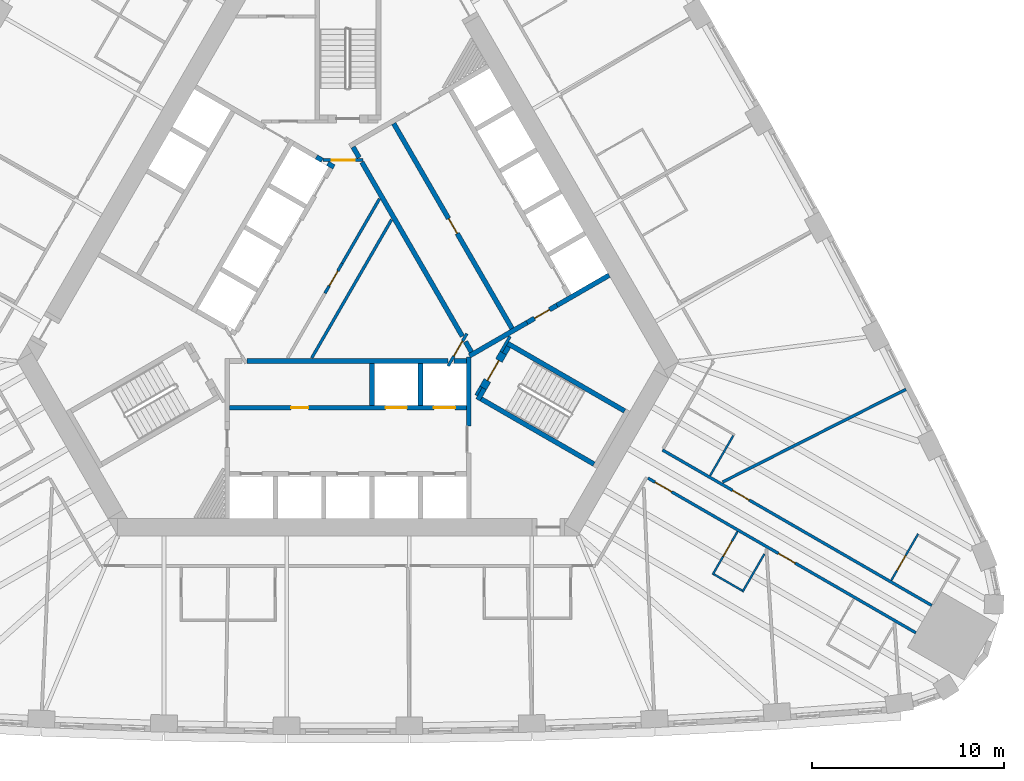
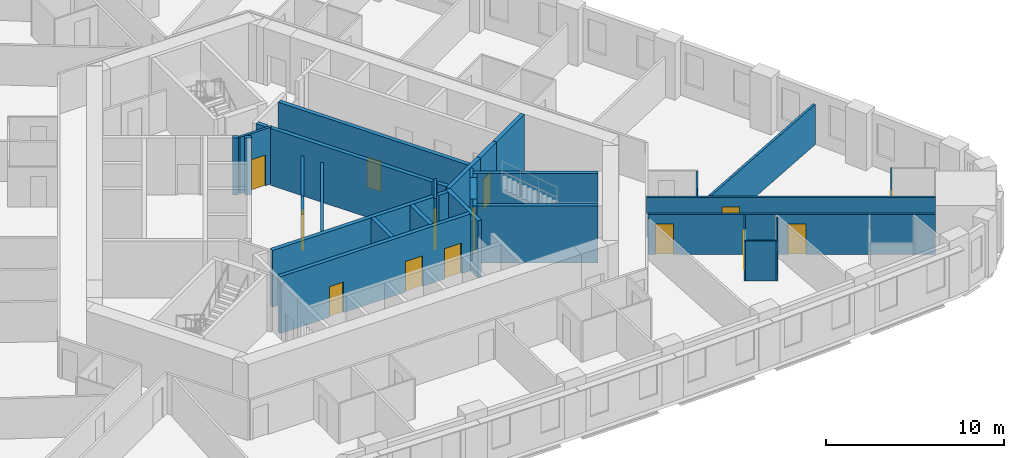
# One storey, part 7 of 12: 35 walls, 14 doors, 14 openings.
"""IFC4 building model written with IfcOpenShell, lengths in metres."""

from ifc_helpers import new_model, si_unit, direction, frame, frame_2d, origin, place, context, subcontext, project, spatial, rectangle, extrude, material, layer, layer_set, type_object, element, fill, save


model = new_model("IFC4")

# Units and contexts
model_context = context("Model", 3, precision=1e-05, world=origin(), true_north=direction((0.0, 1.0)))
body_context = subcontext(model_context, "Body", "Model", "MODEL_VIEW")
ifc_project = project(units=[si_unit("LENGTHUNIT", "METRE"), si_unit("AREAUNIT", "SQUARE_METRE"), si_unit("VOLUMEUNIT", "CUBIC_METRE"), si_unit("PLANEANGLEUNIT", "RADIAN"), si_unit("MASSUNIT", "GRAM", prefix="KILO")], contexts=[model_context])

# Site, building, storey
site_placement = place(None, origin())
site = spatial("IfcSite", under=ifc_project, at=site_placement, CompositionType="ELEMENT")
building_placement = place(site_placement, origin())
building = spatial("IfcBuilding", under=site, at=building_placement, Name="Mestral Congress Tower", CompositionType="ELEMENT")
storey_placement = place(building_placement, frame((0.0, 0.0, 70.5)))
storey = spatial("IfcBuildingStorey", under=building, at=storey_placement, Name="L16", CompositionType="ELEMENT", Elevation=70.5)

# Walls
ifc_material_1 = material(Name="Fire-rated board partition")
ifc_layer_1 = layer(ifc_material_1, 0.14990234375)
ifc_layer_set_1 = layer_set([ifc_layer_1], Name="Fire-rated board partition")
wall_type_1 = type_object("IfcWallType", Name="Core partition 150", PredefinedType="PARTITIONING", material=ifc_layer_set_1)
wall_1_placement = place(storey_placement, frame((6.94482421875, -5.22216796875, 0.0), z_axis=(0.0, 0.0, 1.0), x_axis=(-0.499818422106, -0.866130212453, 0.0)))
element("IfcWall", 1, at=wall_1_placement, inside=storey, type_object=wall_type_1, Name="L16 core wall", PredefinedType="PARTITIONING", context=body_context, shape_type="SweptSolid", body=[
    extrude(rectangle(XDim=0.513916015625, YDim=0.14990234375, at=frame_2d((0.2568359375, 0.0))), origin(), (0.0, 0.0, 1.0), 2.75),
])
wall_2_placement = place(storey_placement, frame((-1.886962890625, -3.71826171875, 0.0), z_axis=(0.0, 0.0, 1.0), x_axis=(0.500005008002, 0.866022512394, 0.0)))
element("IfcWall", 2, at=wall_2_placement, inside=storey, type_object=wall_type_1, Name="L16 core wall", PredefinedType="PARTITIONING", context=body_context, shape_type="SweptSolid", body=[
    extrude(rectangle(XDim=8.3271484375, YDim=0.14990234375, at=frame_2d((4.16357421875, 0.0))), origin(), (0.0, 0.0, 1.0), 2.75),
])
wall_3_placement = place(storey_placement, frame((-0.2998046875, 1.21240234375, 0.0), z_axis=(0.0, 0.0, 1.0), x_axis=(0.499963101113, 0.866046706318, 0.0)))
element("IfcWall", 3, at=wall_3_placement, inside=storey, type_object=wall_type_1, Name="L16 core wall", PredefinedType="PARTITIONING", context=body_context, shape_type="SweptSolid", body=[
    extrude(rectangle(XDim=3.893310546875, YDim=0.14990234375, at=frame_2d((1.94677734375, 0.0))), origin(), (0.0, 0.0, 1.0), 2.75),
])

# Wall, opening, door
wall_4_placement = place(storey_placement, frame((-1.199951171875, -0.346435546875, 0.0), z_axis=(0.0, 0.0, 1.0), x_axis=(0.499961193289, 0.866047807691, 0.0)))
wall_4 = element("IfcWall", 4, at=wall_4_placement, inside=storey, type_object=wall_type_1, Name="L16 door wall", PredefinedType="PARTITIONING", context=body_context, shape_type="SweptSolid", body=[
    extrude(rectangle(XDim=1.800048828125, YDim=0.14990234375, at=frame_2d((0.89990234375, 0.0))), origin(), (0.0, 0.0, 1.0), 2.75),
])
opening_1_placement = place(wall_4_placement, frame((0.449951171875, 0.0, 0.0)))
opening_1 = element("IfcOpeningElement", 5, at=opening_1_placement, cuts=wall_4, Name="Opening SD-HUB1", PredefinedType="OPENING", context=body_context, shape_type="SweptSolid", body=[
    extrude(rectangle(XDim=0.89990234375, YDim=2.10009765625, at=frame_2d((0.449951171875, 1.050048828125))), frame((0.0, 0.0849609375, 0.0), z_axis=(0.0, -1.0, 0.0), x_axis=(1.0, 0.0, 0.0)), (0.0, 0.0, 1.0), 0.169921875),
])
ifc_material_2 = material(Name="Fire-rated steel door set", Category="steel")
door_type_1 = type_object("IfcDoorType", Name="Core door SR 900x2100", OperationType="SINGLE_SWING_LEFT", PredefinedType="DOOR", material=ifc_material_2)
door_1_placement = place(opening_1_placement, origin())
door_1 = element("IfcDoor", 6, at=door_1_placement, inside=storey, type_object=door_type_1, Name="Door SD-HUB1", OperationType="SINGLE_SWING_LEFT", OverallHeight=2.10009765625, OverallWidth=0.89990234375, PredefinedType="DOOR", context=body_context, shape_type="SweptSolid", body=[
    extrude(rectangle(XDim=0.89990234375, YDim=2.10009765625, at=frame_2d((0.449951171875, 1.050048828125))), frame((0.0, 0.02490234375, 0.0), z_axis=(0.0, -1.0, 0.0), x_axis=(1.0, 0.0, 0.0)), (0.0, 0.0, 1.0), 0.050048828125),
])
fill(opening_1, door_1)

ifc_material_3 = material(Name="Gypsum board partition on metal studs with mineral wool", Category="composite")
ifc_layer_2 = layer(ifc_material_3, 0.10009765625)
ifc_layer_set_2 = layer_set([ifc_layer_2], Name="Gypsum board partition on metal studs with mineral wool")
wall_type_2 = type_object("IfcWallType", Name="Hotel partition wall 100", PredefinedType="PARTITIONING", material=ifc_layer_set_2)
wall_5_placement = place(storey_placement, frame((20.330078125, -12.77685546875, 0.0), z_axis=(0.0, 0.0, 1.0), x_axis=(-0.500006934395, -0.866021400173, 0.0)))
wall_5 = element("IfcWall", 7, at=wall_5_placement, inside=storey, type_object=wall_type_2, Name="L16-h-pod06a", PredefinedType="PARTITIONING", context=body_context, shape_type="SweptSolid", body=[
    extrude(rectangle(XDim=2.60009765625, YDim=0.10009765625, at=frame_2d((1.300048828125, 0.0))), origin(), (0.0, 0.0, 1.0), 2.75),
])
opening_2_placement = place(wall_5_placement, frame((0.60009765625, 0.0, 0.0)))
opening_2 = element("IfcOpeningElement", 8, at=opening_2_placement, cuts=wall_5, Name="Opening H04-012", PredefinedType="OPENING", context=body_context, shape_type="SweptSolid", body=[
    extrude(rectangle(XDim=0.89990234375, YDim=2.10009765625, at=frame_2d((0.449951171875, 1.050048828125))), frame((0.0, 0.06005859375, 0.0), z_axis=(0.0, -1.0, 0.0), x_axis=(1.0, 0.0, 0.0)), (0.0, 0.0, 1.0), 0.1201171875),
])
ifc_material_4 = material(Name="Timber veneer door leaf in timber frame", Category="wood")
door_type_2 = type_object("IfcDoorType", Name="Bathroom door 900", OperationType="SINGLE_SWING_LEFT", PredefinedType="DOOR", material=ifc_material_4)
door_2_placement = place(opening_2_placement, origin())
door_2 = element("IfcDoor", 9, at=door_2_placement, inside=storey, type_object=door_type_2, Name="L16-h-d012", OperationType="SINGLE_SWING_RIGHT", OverallHeight=2.10009765625, OverallWidth=0.89990234375, PredefinedType="DOOR", context=body_context, shape_type="SweptSolid", body=[
    extrude(rectangle(XDim=0.89990234375, YDim=2.10009765625, at=frame_2d((0.449951171875, 1.050048828125))), frame((0.0, 0.02490234375, 0.0), z_axis=(0.0, -1.0, 0.0), x_axis=(1.0, 0.0, 0.0)), (0.0, 0.0, 1.0), 0.050048828125),
])
fill(opening_2, door_2)

# Walls
wall_6_placement = place(storey_placement, frame((19.098388671875, -15.01025390625, 0.0), z_axis=(0.0, 0.0, 1.0), x_axis=(0.86605165483, -0.499954529098, 0.0)))
element("IfcWall", 10, at=wall_6_placement, inside=storey, type_object=wall_type_2, Name="L16-h-pod06b", PredefinedType="PARTITIONING", context=body_context, shape_type="SweptSolid", body=[
    extrude(rectangle(XDim=1.699951171875, YDim=0.10009765625, at=frame_2d((0.85009765625, 0.0))), origin(), (0.0, 0.0, 1.0), 2.75),
])
wall_7_placement = place(storey_placement, frame((21.73388671875, -13.9453125, 0.0), z_axis=(0.0, 0.0, 1.0), x_axis=(-0.500014693593, -0.866016920268, 0.0)))
element("IfcWall", 11, at=wall_7_placement, inside=storey, type_object=wall_type_2, Name="L16-h-pod06c", PredefinedType="PARTITIONING", context=body_context, shape_type="SweptSolid", body=[
    extrude(rectangle(XDim=2.2900390625, YDim=0.10009765625, at=frame_2d((1.14501953125, 0.0))), origin(), (0.0, 0.0, 1.0), 2.75),
])

# Wall, opening, door
wall_8_placement = place(storey_placement, frame((29.75244140625, -12.9052734375, 0.0), z_axis=(0.0, 0.0, 1.0), x_axis=(-0.500049511043, -0.865996816683, 0.0)))
wall_8 = element("IfcWall", 12, at=wall_8_placement, inside=storey, type_object=wall_type_2, Name="L16-h-pod08a", PredefinedType="PARTITIONING", context=body_context, shape_type="SweptSolid", body=[
    extrude(rectangle(XDim=2.800048828125, YDim=0.10009765625, at=frame_2d((1.39990234375, 0.0))), origin(), (0.0, 0.0, 1.0), 2.75),
])
opening_3_placement = place(wall_8_placement, frame((1.300048828125, 0.0, 0.0)))
opening_3 = element("IfcOpeningElement", 13, at=opening_3_placement, cuts=wall_8, Name="Opening H04-016", PredefinedType="OPENING", context=body_context, shape_type="SweptSolid", body=[
    extrude(rectangle(XDim=0.89990234375, YDim=2.10009765625, at=frame_2d((0.449951171875, 1.050048828125))), frame((0.0, 0.06005859375, 0.0), z_axis=(0.0, -1.0, 0.0), x_axis=(1.0, 0.0, 0.0)), (0.0, 0.0, 1.0), 0.1201171875),
])
door_3_placement = place(opening_3_placement, origin())
door_3 = element("IfcDoor", 14, at=door_3_placement, inside=storey, type_object=door_type_2, Name="L16-h-d016", OperationType="SINGLE_SWING_LEFT", OverallHeight=2.10009765625, OverallWidth=0.89990234375, PredefinedType="DOOR", context=body_context, shape_type="SweptSolid", body=[
    extrude(rectangle(XDim=0.89990234375, YDim=2.10009765625, at=frame_2d((0.449951171875, 1.050048828125))), frame((0.0, 0.02490234375, 0.0), z_axis=(0.0, -1.0, 0.0), x_axis=(1.0, 0.0, 0.0)), (0.0, 0.0, 1.0), 0.050048828125),
])
fill(opening_3, door_3)

# Wall
wall_9_placement = place(storey_placement, frame((20.10888671875, -7.7705078125, 0.0), z_axis=(0.0, 0.0, 1.0), x_axis=(-0.500077573772, -0.865980611914, 0.0)))
element("IfcWall", 15, at=wall_9_placement, inside=storey, type_object=wall_type_2, Name="L16-h-pod09b", PredefinedType="PARTITIONING", context=body_context, shape_type="SweptSolid", body=[
    extrude(rectangle(XDim=2.419921875, YDim=0.10009765625, at=frame_2d((1.2099609375, 0.0))), origin(), (0.0, 0.0, 1.0), 2.75),
])

# Wall, opening, door
ifc_layer_3 = layer(ifc_material_3, 0.14990234375)
ifc_layer_set_3 = layer_set([ifc_layer_3], Name="Gypsum board partition on metal studs with mineral wool")
wall_type_3 = type_object("IfcWallType", Name="Hotel partition wall 150", PredefinedType="PARTITIONING", material=ifc_layer_set_3)
wall_10_placement = place(storey_placement, frame((16.412353515625, -8.52294921875, 0.0), z_axis=(0.0, 0.0, 1.0), x_axis=(0.866022197818, -0.500005552856, 0.0)))
wall_10 = element("IfcWall", 16, at=wall_10_placement, inside=storey, type_object=wall_type_3, Name="L16-h-cw01", PredefinedType="PARTITIONING", context=body_context, shape_type="SweptSolid", body=[
    extrude(rectangle(XDim=16.223876953125, YDim=0.14990234375, at=frame_2d((8.11181640625, 0.0))), origin(), (0.0, 0.0, 1.0), 2.75),
])
opening_4_placement = place(wall_10_placement, frame((4.223388671875, 0.0, 0.0)))
opening_4 = element("IfcOpeningElement", 17, at=opening_4_placement, cuts=wall_10, Name="Opening H04-015", PredefinedType="OPENING", context=body_context, shape_type="SweptSolid", body=[
    extrude(rectangle(XDim=1.0, YDim=2.10009765625, at=frame_2d((0.5, 1.050048828125))), frame((0.0, 0.0849609375, 0.0), z_axis=(0.0, -1.0, 0.0), x_axis=(1.0, 0.0, 0.0)), (0.0, 0.0, 1.0), 0.169921875),
])
ifc_material_5 = material(Name="Timber veneer door leaf in metal frame", Category="wood")
door_type_3 = type_object("IfcDoorType", Name="Guest room entrance door 1000", OperationType="SINGLE_SWING_LEFT", PredefinedType="DOOR", material=ifc_material_5)
door_4_placement = place(opening_4_placement, origin())
door_4 = element("IfcDoor", 18, at=door_4_placement, inside=storey, type_object=door_type_3, Name="L16-h-d015", OperationType="SINGLE_SWING_LEFT", OverallHeight=2.10009765625, OverallWidth=1.0, PredefinedType="DOOR", context=body_context, shape_type="SweptSolid", body=[
    extrude(rectangle(XDim=1.0, YDim=2.10009765625, at=frame_2d((0.5, 1.050048828125))), frame((0.0, 0.02490234375, 0.0), z_axis=(0.0, -1.0, 0.0), x_axis=(1.0, 0.0, 0.0)), (0.0, 0.0, 1.0), 0.050048828125),
])
fill(opening_4, door_4)

# Wall, openings, doors
wall_11_placement = place(storey_placement, frame((29.6376953125, -18.06396484375, 0.0), z_axis=(0.0, 0.0, 1.0), x_axis=(-0.866026175601, 0.499998663172, 0.0)))
wall_11 = element("IfcWall", 19, at=wall_11_placement, inside=storey, type_object=wall_type_3, Name="L16-h-cw15", PredefinedType="PARTITIONING", context=body_context, shape_type="SweptSolid", body=[
    extrude(rectangle(XDim=16.14404296875, YDim=0.14990234375, at=frame_2d((8.072021484375, 0.0))), origin(), (0.0, 0.0, 1.0), 2.75),
])
opening_5_placement = place(wall_11_placement, frame((14.7138671875, 0.0, 0.0)))
opening_5 = element("IfcOpeningElement", 20, at=opening_5_placement, cuts=wall_11, Name="Opening H04-011", PredefinedType="OPENING", context=body_context, shape_type="SweptSolid", body=[
    extrude(rectangle(XDim=1.0, YDim=2.10009765625, at=frame_2d((0.5, 1.050048828125))), frame((0.0, 0.0849609375, 0.0), z_axis=(0.0, -1.0, 0.0), x_axis=(1.0, 0.0, 0.0)), (0.0, 0.0, 1.0), 0.169921875),
])
opening_6_placement = place(wall_11_placement, frame((7.275146484375, 0.0, 0.0)))
opening_6 = element("IfcOpeningElement", 21, at=opening_6_placement, cuts=wall_11, Name="Opening H04-013", PredefinedType="OPENING", context=body_context, shape_type="SweptSolid", body=[
    extrude(rectangle(XDim=1.0, YDim=2.10009765625, at=frame_2d((0.5, 1.050048828125))), frame((0.0, 0.0849609375, 0.0), z_axis=(0.0, -1.0, 0.0), x_axis=(1.0, 0.0, 0.0)), (0.0, 0.0, 1.0), 0.169921875),
])
door_5_placement = place(opening_5_placement, origin())
door_5 = element("IfcDoor", 22, at=door_5_placement, inside=storey, type_object=door_type_3, Name="L16-h-d011", OperationType="SINGLE_SWING_RIGHT", OverallHeight=2.10009765625, OverallWidth=1.0, PredefinedType="DOOR", context=body_context, shape_type="SweptSolid", body=[
    extrude(rectangle(XDim=1.0, YDim=2.10009765625, at=frame_2d((0.5, 1.050048828125))), frame((0.0, 0.02490234375, 0.0), z_axis=(0.0, -1.0, 0.0), x_axis=(1.0, 0.0, 0.0)), (0.0, 0.0, 1.0), 0.050048828125),
])
fill(opening_5, door_5)
door_6_placement = place(opening_6_placement, origin())
door_6 = element("IfcDoor", 23, at=door_6_placement, inside=storey, type_object=door_type_3, Name="L16-h-d013", OperationType="SINGLE_SWING_RIGHT", OverallHeight=2.10009765625, OverallWidth=1.0, PredefinedType="DOOR", context=body_context, shape_type="SweptSolid", body=[
    extrude(rectangle(XDim=1.0, YDim=2.10009765625, at=frame_2d((0.5, 1.050048828125))), frame((0.0, 0.02490234375, 0.0), z_axis=(0.0, -1.0, 0.0), x_axis=(1.0, 0.0, 0.0)), (0.0, 0.0, 1.0), 0.050048828125),
])
fill(opening_6, door_6)

# Walls
wall_12_placement = place(storey_placement, frame((29.119873046875, -5.355712890625, 0.0), z_axis=(0.0, 0.0, 1.0), x_axis=(-0.892401965553, -0.451241323327, 0.0)))
element("IfcWall", 24, at=wall_12_placement, inside=storey, type_object=wall_type_3, Name="L16-h-pw22", PredefinedType="PARTITIONING", context=body_context, shape_type="SweptSolid", body=[
    extrude(rectangle(XDim=10.728759765625, YDim=0.14990234375, at=frame_2d((5.3642578125, 0.0))), origin(), (0.0, 0.0, 1.0), 2.75),
])
ifc_material_6 = material(Name="Concrete C60/75", Category="concrete")
ifc_layer_4 = layer(ifc_material_6, 0.25)
ifc_layer_set_4 = layer_set([ifc_layer_4], Name="Concrete C60/75")
wall_type_4 = type_object("IfcWallType", Name="Shaft wall RC 250", PredefinedType="SOLIDWALL", material=ifc_layer_set_4)
wall_13_placement = place(storey_placement, frame((-5.25927734375, -3.875, 0.0), z_axis=(0.0, 0.0, 1.0), x_axis=(1.0, 0.0, 0.0)))
element("IfcWall", 25, at=wall_13_placement, inside=storey, type_object=wall_type_4, Name="L16 core wall", PredefinedType="SOLIDWALL", context=body_context, shape_type="SweptSolid", body=[
    extrude(rectangle(XDim=10.488525390625, YDim=0.25, at=frame_2d((5.244140625, 0.0))), origin(), (0.0, 0.0, 1.0), 3.89990234375),
])
for number, where, z_axis, x_axis, name in (
    (26, (3.780029296875, -4.0, 0.0), (0.0, 0.0, 1.0), (0.0, -1.0, 0.0), "L16 core wall"),
    (27, (1.260009765625, -4.0, 0.0), (0.0, 0.0, 1.0), (0.0, -1.0, 0.0), "L16 core wall"),
):
    element("IfcWall", number, at=place(storey_placement, frame(where, z_axis=z_axis, x_axis=x_axis)), inside=storey, type_object=wall_type_4, Name=name, PredefinedType="SOLIDWALL", context=body_context, shape_type="SweptSolid", body=[
        extrude(rectangle(XDim=2.199951171875, YDim=0.25, at=frame_2d((1.10009765625, 0.0))), origin(), (0.0, 0.0, 1.0), 3.89990234375),
    ])
wall_14_placement = place(storey_placement, frame((6.300048828125, -7.27001953125, 0.0), z_axis=(0.0, 0.0, 1.0), x_axis=(0.0, 1.0, 0.0)))
element("IfcWall", 28, at=wall_14_placement, inside=storey, type_object=wall_type_4, Name="L16 core wall", PredefinedType="SOLIDWALL", context=body_context, shape_type="SweptSolid", body=[
    extrude(rectangle(XDim=3.586181640625, YDim=0.25, at=frame_2d((1.79296875, 0.0))), origin(), (0.0, 0.0, 1.0), 3.89990234375),
])
wall_15_placement = place(storey_placement, frame((5.538330078125, -3.875, 0.0), z_axis=(0.0, 0.0, 1.0), x_axis=(1.0, 0.0, 0.0)))
element("IfcWall", 29, at=wall_15_placement, inside=storey, type_object=wall_type_4, Name="L16 core wall", PredefinedType="SOLIDWALL", context=body_context, shape_type="SweptSolid", body=[
    extrude(rectangle(XDim=0.63671875, YDim=0.25, at=frame_2d((0.318359375, 0.0))), origin(), (0.0, 0.0, 1.0), 3.89990234375),
])
wall_16_placement = place(storey_placement, frame((13.62890625, 0.593994140625, 0.0), z_axis=(0.0, 0.0, 1.0), x_axis=(-0.86602790099, -0.499995674689, 0.0)))
element("IfcWall", 30, at=wall_16_placement, inside=storey, type_object=wall_type_4, Name="L16 core wall", PredefinedType="SOLIDWALL", context=body_context, shape_type="SweptSolid", body=[
    extrude(rectangle(XDim=3.1455078125, YDim=0.25, at=frame_2d((1.57275390625, 0.0))), origin(), (0.0, 0.0, 1.0), 3.89990234375),
])
wall_17_placement = place(storey_placement, frame((9.345703125, -1.87890625, 0.0), z_axis=(0.0, 0.0, 1.0), x_axis=(-0.866048528039, -0.499959945477, 0.0)))
element("IfcWall", 31, at=wall_17_placement, inside=storey, type_object=wall_type_4, Name="L16 core wall", PredefinedType="SOLIDWALL", context=body_context, shape_type="SweptSolid", body=[
    extrude(rectangle(XDim=3.470458984375, YDim=0.25, at=frame_2d((1.7353515625, 0.0))), origin(), (0.0, 0.0, 1.0), 3.89990234375),
])
wall_18_placement = place(storey_placement, frame((6.1298828125, -2.867431640625, 0.0), z_axis=(0.0, 0.0, 1.0), x_axis=(0.500160776593, -0.865932559475, 0.0)))
element("IfcWall", 32, at=wall_18_placement, inside=storey, type_object=wall_type_4, Name="L16 core wall", PredefinedType="SOLIDWALL", context=body_context, shape_type="SweptSolid", body=[
    extrude(rectangle(XDim=0.626708984375, YDim=0.25, at=frame_2d((0.3134765625, 0.0))), origin(), (0.0, 0.0, 1.0), 3.89990234375),
])
wall_19_placement = place(storey_placement, frame((0.268310546875, 7.28515625, 0.0), z_axis=(0.0, 0.0, 1.0), x_axis=(0.500098681536, -0.865968422476, 0.0)))
element("IfcWall", 33, at=wall_19_placement, inside=storey, type_object=wall_type_4, Name="L16 core wall", PredefinedType="SOLIDWALL", context=body_context, shape_type="SweptSolid", body=[
    extrude(rectangle(XDim=0.636474609375, YDim=0.25, at=frame_2d((0.318359375, 0.0))), origin(), (0.0, 0.0, 1.0), 3.89990234375),
])
wall_20_placement = place(storey_placement, frame((5.970458984375, -2.591064453125, 0.0), z_axis=(0.0, 0.0, 1.0), x_axis=(-0.499994469932, 0.866028596547, 0.0)))
element("IfcWall", 34, at=wall_20_placement, inside=storey, type_object=wall_type_4, Name="L16 core wall", PredefinedType="SOLIDWALL", context=body_context, shape_type="SweptSolid", body=[
    extrude(rectangle(XDim=10.48828125, YDim=0.25, at=frame_2d((5.244140625, 0.0))), origin(), (0.0, 0.0, 1.0), 3.89990234375),
])
wall_21_placement = place(storey_placement, frame((-1.34228515625, 6.5947265625, 0.0), z_axis=(0.0, 0.0, 1.0), x_axis=(-0.866046247233, 0.49996389635, 0.0)))
element("IfcWall", 35, at=wall_21_placement, inside=storey, type_object=wall_type_4, Name="L16 core wall", PredefinedType="SOLIDWALL", context=body_context, shape_type="SweptSolid", body=[
    extrude(rectangle(XDim=0.35009765625, YDim=0.25, at=frame_2d((0.175048828125, 0.0))), origin(), (0.0, 0.0, 1.0), 3.89990234375),
])
wall_22_placement = place(storey_placement, frame((-0.7275390625, 6.23974609375, 0.0), z_axis=(0.0, 0.0, 1.0), x_axis=(-0.866088799389, 0.499890179513, 0.0)))
element("IfcWall", 36, at=wall_22_placement, inside=storey, type_object=wall_type_4, Name="L16 core wall", PredefinedType="SOLIDWALL", context=body_context, shape_type="SweptSolid", body=[
    extrude(rectangle(XDim=0.3779296875, YDim=0.25, at=frame_2d((0.18896484375, 0.0))), origin(), (0.0, 0.0, 1.0), 3.89990234375),
])

# Wall, openings, doors
wall_23_placement = place(storey_placement, frame((-6.175048828125, -6.324951171875, 0.0), z_axis=(0.0, 0.0, 1.0), x_axis=(1.0, 0.0, 0.0)))
wall_23 = element("IfcWall", 37, at=wall_23_placement, inside=storey, type_object=wall_type_4, Name="L16 door wall", PredefinedType="SOLIDWALL", context=body_context, shape_type="SweptSolid", body=[
    extrude(rectangle(XDim=12.35009765625, YDim=0.25, at=frame_2d((6.175048828125, 0.0))), origin(), (0.0, 0.0, 1.0), 3.89990234375),
])
opening_7_placement = place(wall_23_placement, frame((3.205078125, 0.0, 0.0)))
opening_7 = element("IfcOpeningElement", 38, at=opening_7_placement, cuts=wall_23, Name="Opening SR-SOB1", PredefinedType="OPENING", context=body_context, shape_type="SweptSolid", body=[
    extrude(rectangle(XDim=0.89990234375, YDim=2.10009765625, at=frame_2d((0.449951171875, 1.050048828125))), frame((0.0, 0.135009765625, 0.0), z_axis=(0.0, -1.0, 0.0), x_axis=(1.0, 0.0, 0.0)), (0.0, 0.0, 1.0), 0.27001953125),
])
opening_8_placement = place(wall_23_placement, frame((8.14501953125, 0.0, 0.0)))
opening_8 = element("IfcOpeningElement", 39, at=opening_8_placement, cuts=wall_23, Name="Opening LD-SOB4", PredefinedType="OPENING", context=body_context, shape_type="SweptSolid", body=[
    extrude(rectangle(XDim=1.10009765625, YDim=2.10009765625, at=frame_2d((0.550048828125, 1.050048828125))), frame((0.0, 0.135009765625, 0.0), z_axis=(0.0, -1.0, 0.0), x_axis=(1.0, 0.0, 0.0)), (0.0, 0.0, 1.0), 0.27001953125),
])
opening_9_placement = place(wall_23_placement, frame((10.6650390625, 0.0, 0.0)))
opening_9 = element("IfcOpeningElement", 40, at=opening_9_placement, cuts=wall_23, Name="Opening LD-SOB5", PredefinedType="OPENING", context=body_context, shape_type="SweptSolid", body=[
    extrude(rectangle(XDim=1.10009765625, YDim=2.10009765625, at=frame_2d((0.550048828125, 1.050048828125))), frame((0.0, 0.135009765625, 0.0), z_axis=(0.0, -1.0, 0.0), x_axis=(1.0, 0.0, 0.0)), (0.0, 0.0, 1.0), 0.27001953125),
])
door_type_4 = type_object("IfcDoorType", Name="Core door LD 1100x2100", OperationType="DOUBLE_DOOR_SLIDING", PredefinedType="DOOR", material=ifc_material_2)
door_7_placement = place(opening_8_placement, origin())
door_7 = element("IfcDoor", 41, at=door_7_placement, inside=storey, type_object=door_type_4, Name="Door LD-SOB4", OperationType="DOUBLE_DOOR_SLIDING", OverallHeight=2.10009765625, OverallWidth=1.10009765625, PredefinedType="DOOR", context=body_context, shape_type="SweptSolid", body=[
    extrude(rectangle(XDim=1.10009765625, YDim=2.10009765625, at=frame_2d((0.550048828125, 1.050048828125))), frame((0.0, 0.02490234375, 0.0), z_axis=(0.0, -1.0, 0.0), x_axis=(1.0, 0.0, 0.0)), (0.0, 0.0, 1.0), 0.050048828125),
])
fill(opening_8, door_7)
door_8_placement = place(opening_9_placement, origin())
door_8 = element("IfcDoor", 42, at=door_8_placement, inside=storey, type_object=door_type_4, Name="Door LD-SOB5", OperationType="DOUBLE_DOOR_SLIDING", OverallHeight=2.10009765625, OverallWidth=1.10009765625, PredefinedType="DOOR", context=body_context, shape_type="SweptSolid", body=[
    extrude(rectangle(XDim=1.10009765625, YDim=2.10009765625, at=frame_2d((0.550048828125, 1.050048828125))), frame((0.0, 0.02490234375, 0.0), z_axis=(0.0, -1.0, 0.0), x_axis=(1.0, 0.0, 0.0)), (0.0, 0.0, 1.0), 0.050048828125),
])
fill(opening_9, door_8)
door_9_placement = place(opening_7_placement, origin())
door_9 = element("IfcDoor", 43, at=door_9_placement, inside=storey, type_object=door_type_1, Name="Door SR-SOB1", OperationType="SINGLE_SWING_LEFT", OverallHeight=2.10009765625, OverallWidth=0.89990234375, PredefinedType="DOOR", context=body_context, shape_type="SweptSolid", body=[
    extrude(rectangle(XDim=0.89990234375, YDim=2.10009765625, at=frame_2d((0.449951171875, 1.050048828125))), frame((0.0, 0.02490234375, 0.0), z_axis=(0.0, -1.0, 0.0), x_axis=(1.0, 0.0, 0.0)), (0.0, 0.0, 1.0), 0.050048828125),
])
fill(opening_7, door_9)

# Wall, opening, door
wall_24_placement = place(storey_placement, frame((8.565185546875, -2.185302734375, 0.0), z_axis=(0.0, 0.0, 1.0), x_axis=(-0.499997954832, 0.866026584559, 0.0)))
wall_24 = element("IfcWall", 44, at=wall_24_placement, inside=storey, type_object=wall_type_4, Name="L16 door wall", PredefinedType="SOLIDWALL", context=body_context, shape_type="SweptSolid", body=[
    extrude(rectangle(XDim=12.35009765625, YDim=0.25, at=frame_2d((6.175048828125, 0.0))), origin(), (0.0, 0.0, 1.0), 3.89990234375),
])
opening_10_placement = place(wall_24_placement, frame((5.72509765625, 0.0, 0.0)))
opening_10 = element("IfcOpeningElement", 45, at=opening_10_placement, cuts=wall_24, Name="Opening SR-NEB1", PredefinedType="OPENING", context=body_context, shape_type="SweptSolid", body=[
    extrude(rectangle(XDim=0.89990234375, YDim=2.10009765625, at=frame_2d((0.449951171875, 1.050048828125))), frame((0.0, 0.135009765625, 0.0), z_axis=(0.0, -1.0, 0.0), x_axis=(1.0, 0.0, 0.0)), (0.0, 0.0, 1.0), 0.27001953125),
])
door_10_placement = place(opening_10_placement, origin())
door_10 = element("IfcDoor", 46, at=door_10_placement, inside=storey, type_object=door_type_1, Name="Door SR-NEB1", OperationType="SINGLE_SWING_LEFT", OverallHeight=2.10009765625, OverallWidth=0.89990234375, PredefinedType="DOOR", context=body_context, shape_type="SweptSolid", body=[
    extrude(rectangle(XDim=0.89990234375, YDim=2.10009765625, at=frame_2d((0.449951171875, 1.050048828125))), frame((0.0, 0.02490234375, 0.0), z_axis=(0.0, -1.0, 0.0), x_axis=(1.0, 0.0, 0.0)), (0.0, 0.0, 1.0), 0.050048828125),
])
fill(opening_10, door_10)

wall_25_placement = place(storey_placement, frame((9.345947265625, -1.878662109375, 0.0), z_axis=(0.0, 0.0, 1.0), x_axis=(0.866047807691, 0.499961193289, 0.0)))
wall_25 = element("IfcWall", 47, at=wall_25_placement, inside=storey, type_object=wall_type_4, Name="L16 door wall", PredefinedType="SOLIDWALL", context=body_context, shape_type="SweptSolid", body=[
    extrude(rectangle(XDim=1.800048828125, YDim=0.25, at=frame_2d((0.89990234375, 0.0))), origin(), (0.0, 0.0, 1.0), 3.89990234375),
])
opening_11_placement = place(wall_25_placement, frame((0.449951171875, 0.0, 0.0)))
opening_11 = element("IfcOpeningElement", 48, at=opening_11_placement, cuts=wall_25, Name="Opening TD1", PredefinedType="OPENING", context=body_context, shape_type="SweptSolid", body=[
    extrude(rectangle(XDim=0.89990234375, YDim=2.10009765625, at=frame_2d((0.449951171875, 1.050048828125))), frame((0.0, 0.135009765625, 0.0), z_axis=(0.0, -1.0, 0.0), x_axis=(1.0, 0.0, 0.0)), (0.0, 0.0, 1.0), 0.27001953125),
])
door_11_placement = place(opening_11_placement, origin())
door_11 = element("IfcDoor", 49, at=door_11_placement, inside=storey, type_object=door_type_1, Name="Door TD1", OperationType="SINGLE_SWING_LEFT", OverallHeight=2.10009765625, OverallWidth=0.89990234375, PredefinedType="DOOR", context=body_context, shape_type="SweptSolid", body=[
    extrude(rectangle(XDim=0.89990234375, YDim=2.10009765625, at=frame_2d((0.449951171875, 1.050048828125))), frame((0.0, 0.02490234375, 0.0), z_axis=(0.0, -1.0, 0.0), x_axis=(1.0, 0.0, 0.0)), (0.0, 0.0, 1.0), 0.050048828125),
])
fill(opening_11, door_11)

# Wall
ifc_layer_5 = layer(ifc_material_6, 0.14990234375)
ifc_layer_set_5 = layer_set([ifc_layer_5], Name="Concrete C60/75")
wall_type_5 = type_object("IfcWallType", Name="Shaft wall RC 250 door-wall 150", PredefinedType="SOLIDWALL", material=ifc_layer_set_5)
wall_26_placement = place(storey_placement, frame((8.459228515625, -2.59912109375, 0.0), z_axis=(0.0, 0.0, 1.0), x_axis=(-0.500041054325, -0.866001699761, 0.0)))
element("IfcWall", 50, at=wall_26_placement, inside=storey, type_object=wall_type_5, Name="L16 core wall", PredefinedType="PARTITIONING", context=body_context, shape_type="SweptSolid", body=[
    extrude(rectangle(XDim=0.9287109375, YDim=0.14990234375, at=frame_2d((0.46435546875, 0.0))), origin(), (0.0, 0.0, 1.0), 3.89990234375),
])

# Wall, opening, door
wall_27_placement = place(storey_placement, frame((6.203369140625, -2.45556640625, 0.0), z_axis=(0.0, 0.0, 1.0), x_axis=(-0.500043961785, -0.866000020948, 0.0)))
wall_27 = element("IfcWall", 51, at=wall_27_placement, inside=storey, type_object=wall_type_5, Name="L16 door wall", PredefinedType="PARTITIONING", context=body_context, shape_type="SweptSolid", body=[
    extrude(rectangle(XDim=1.949951171875, YDim=0.14990234375, at=frame_2d((0.97509765625, 0.0))), origin(), (0.0, 0.0, 1.0), 3.89990234375),
])
opening_12_placement = place(wall_27_placement, frame((0.449951171875, 0.0, 0.0)))
opening_12 = element("IfcOpeningElement", 52, at=opening_12_placement, cuts=wall_27, Name="Opening CD1-HUB0", PredefinedType="OPENING", context=body_context, shape_type="SweptSolid", body=[
    extrude(rectangle(XDim=0.89990234375, YDim=2.10009765625, at=frame_2d((0.449951171875, 1.050048828125))), frame((0.0, 0.0849609375, 0.0), z_axis=(0.0, -1.0, 0.0), x_axis=(1.0, 0.0, 0.0)), (0.0, 0.0, 1.0), 0.169921875),
])
door_type_5 = type_object("IfcDoorType", Name="Core door CD 900x2100", OperationType="SINGLE_SWING_LEFT", PredefinedType="DOOR", material=ifc_material_2)
door_12_placement = place(opening_12_placement, origin())
door_12 = element("IfcDoor", 53, at=door_12_placement, inside=storey, type_object=door_type_5, Name="Door CD1-HUB0", OperationType="SINGLE_SWING_LEFT", OverallHeight=2.10009765625, OverallWidth=0.89990234375, PredefinedType="DOOR", context=body_context, shape_type="SweptSolid", body=[
    extrude(rectangle(XDim=0.89990234375, YDim=2.10009765625, at=frame_2d((0.449951171875, 1.050048828125))), frame((0.0, 0.02490234375, 0.0), z_axis=(0.0, -1.0, 0.0), x_axis=(1.0, 0.0, 0.0)), (0.0, 0.0, 1.0), 0.050048828125),
])
fill(opening_12, door_12)

wall_28_placement = place(storey_placement, frame((-1.303466796875, 6.60009765625, 0.0), z_axis=(0.0, 0.0, 1.0), x_axis=(1.0, 0.0, 0.0)))
wall_28 = element("IfcWall", 54, at=wall_28_placement, inside=storey, type_object=wall_type_5, Name="L16 door wall", PredefinedType="PARTITIONING", context=body_context, shape_type="SweptSolid", body=[
    extrude(rectangle(XDim=2.099853515625, YDim=0.14990234375, at=frame_2d((1.0498046875, 0.0))), origin(), (0.0, 0.0, 1.0), 3.89990234375),
])
opening_13_placement = place(wall_28_placement, frame((0.449951171875, 0.0, 0.0)))
opening_13 = element("IfcOpeningElement", 55, at=opening_13_placement, cuts=wall_28, Name="Opening CD2-FF", PredefinedType="OPENING", context=body_context, shape_type="SweptSolid", body=[
    extrude(rectangle(XDim=1.199951171875, YDim=2.10009765625, at=frame_2d((0.60009765625, 1.050048828125))), frame((0.0, 0.0849609375, 0.0), z_axis=(0.0, -1.0, 0.0), x_axis=(1.0, 0.0, 0.0)), (0.0, 0.0, 1.0), 0.169921875),
])
door_type_6 = type_object("IfcDoorType", Name="Core door CD 1200x2100", OperationType="SINGLE_SWING_LEFT", PredefinedType="DOOR", material=ifc_material_2)
door_13_placement = place(opening_13_placement, origin())
door_13 = element("IfcDoor", 56, at=door_13_placement, inside=storey, type_object=door_type_6, Name="Door CD2-FF", OperationType="SINGLE_SWING_LEFT", OverallHeight=2.10009765625, OverallWidth=1.199951171875, PredefinedType="DOOR", context=body_context, shape_type="SweptSolid", body=[
    extrude(rectangle(XDim=1.199951171875, YDim=2.10009765625, at=frame_2d((0.60009765625, 1.050048828125))), frame((0.0, 0.02490234375, 0.0), z_axis=(0.0, -1.0, 0.0), x_axis=(1.0, 0.0, 0.0)), (0.0, 0.0, 1.0), 0.050048828125),
])
fill(opening_13, door_13)

# Walls
ifc_layer_6 = layer(ifc_material_6, 0.25)
ifc_layer_set_6 = layer_set([ifc_layer_6], Name="Concrete C60/75")
wall_type_6 = type_object("IfcWallType", Name="Stair wall RC 250", PredefinedType="SOLIDWALL", material=ifc_layer_set_6)
wall_29_placement = place(storey_placement, frame((12.83984375, -9.2607421875, 0.0), z_axis=(0.0, 0.0, 1.0), x_axis=(-0.866013990052, 0.500019768644, 0.0)))
element("IfcWall", 57, at=wall_29_placement, inside=storey, type_object=wall_type_6, Name="L16 core wall", PredefinedType="SOLIDWALL", context=body_context, shape_type="SweptSolid", body=[
    extrude(rectangle(XDim=6.800048828125, YDim=0.25, at=frame_2d((3.39990234375, 0.0))), origin(), (0.0, 0.0, 1.0), 3.89990234375),
])
wall_30_placement = place(storey_placement, frame((6.780029296875, -5.906494140625, 0.0), z_axis=(0.0, 0.0, 1.0), x_axis=(0.500223362819, 0.865896406789, 0.0)))
element("IfcWall", 58, at=wall_30_placement, inside=storey, type_object=wall_type_6, Name="L16 core wall", PredefinedType="SOLIDWALL", context=body_context, shape_type="SweptSolid", body=[
    extrude(rectangle(XDim=0.675048828125, YDim=0.25, at=frame_2d((0.33740234375, 0.0))), origin(), (0.0, 0.0, 1.0), 3.89990234375),
])
wall_31_placement = place(storey_placement, frame((8.33447265625, -2.96435546875, 0.0), z_axis=(0.0, 0.0, 1.0), x_axis=(0.866016039709, -0.500016218704, 0.0)))
element("IfcWall", 59, at=wall_31_placement, inside=storey, type_object=wall_type_6, Name="L16 core wall", PredefinedType="SOLIDWALL", context=body_context, shape_type="SweptSolid", body=[
    extrude(rectangle(XDim=7.050048828125, YDim=0.25, at=frame_2d((3.52490234375, 0.0))), origin(), (0.0, 0.0, 1.0), 3.89990234375),
])
wall_32_placement = place(storey_placement, frame((8.167724609375, -3.503173828125, 0.0), z_axis=(0.0, 0.0, 1.0), x_axis=(0.49972245349, 0.866185586049, 0.0)))
element("IfcWall", 60, at=wall_32_placement, inside=storey, type_object=wall_type_6, Name="L16 core wall", PredefinedType="SOLIDWALL", context=body_context, shape_type="SweptSolid", body=[
    extrude(rectangle(XDim=0.425048828125, YDim=0.25, at=frame_2d((0.21240234375, 0.0))), origin(), (0.0, 0.0, 1.0), 3.89990234375),
])

# Wall, opening, door
ifc_layer_7 = layer(ifc_material_6, 0.39990234375)
ifc_layer_set_7 = layer_set([ifc_layer_7], Name="Concrete C60/75")
wall_type_7 = type_object("IfcWallType", Name="Stair wall RC 250 door-wall 400", PredefinedType="SOLIDWALL", material=ifc_layer_set_7)
wall_33_placement = place(storey_placement, frame((7.052734375, -5.2841796875, 0.0), z_axis=(0.0, 0.0, 1.0), x_axis=(0.500078061341, 0.865980330357, 0.0)))
wall_33 = element("IfcWall", 61, at=wall_33_placement, inside=storey, type_object=wall_type_7, Name="L16 door wall", PredefinedType="SOLIDWALL", context=body_context, shape_type="SweptSolid", body=[
    extrude(rectangle(XDim=2.099853515625, YDim=0.39990234375, at=frame_2d((1.0498046875, 0.0))), origin(), (0.0, 0.0, 1.0), 3.89990234375),
])
opening_14_placement = place(wall_33_placement, frame((0.449951171875, 0.0, 0.0)))
opening_14 = element("IfcOpeningElement", 62, at=opening_14_placement, cuts=wall_33, Name="Opening ST-D1", PredefinedType="OPENING", context=body_context, shape_type="SweptSolid", body=[
    extrude(rectangle(XDim=1.199951171875, YDim=2.10009765625, at=frame_2d((0.60009765625, 1.050048828125))), frame((0.0, 0.2099609375, 0.0), z_axis=(0.0, -1.0, 0.0), x_axis=(1.0, 0.0, 0.0)), (0.0, 0.0, 1.0), 0.419921875),
])
door_type_7 = type_object("IfcDoorType", Name="Core door ST 1200x2100", OperationType="SINGLE_SWING_LEFT", PredefinedType="DOOR", material=ifc_material_2)
door_14_placement = place(opening_14_placement, origin())
door_14 = element("IfcDoor", 63, at=door_14_placement, inside=storey, type_object=door_type_7, Name="Door ST-D1", OperationType="SINGLE_SWING_LEFT", OverallHeight=2.10009765625, OverallWidth=1.199951171875, PredefinedType="DOOR", context=body_context, shape_type="SweptSolid", body=[
    extrude(rectangle(XDim=1.199951171875, YDim=2.10009765625, at=frame_2d((0.60009765625, 1.050048828125))), frame((0.0, 0.02490234375, 0.0), z_axis=(0.0, -1.0, 0.0), x_axis=(1.0, 0.0, 0.0)), (0.0, 0.0, 1.0), 0.050048828125),
])
fill(opening_14, door_14)

save(model, "model.ifc")
